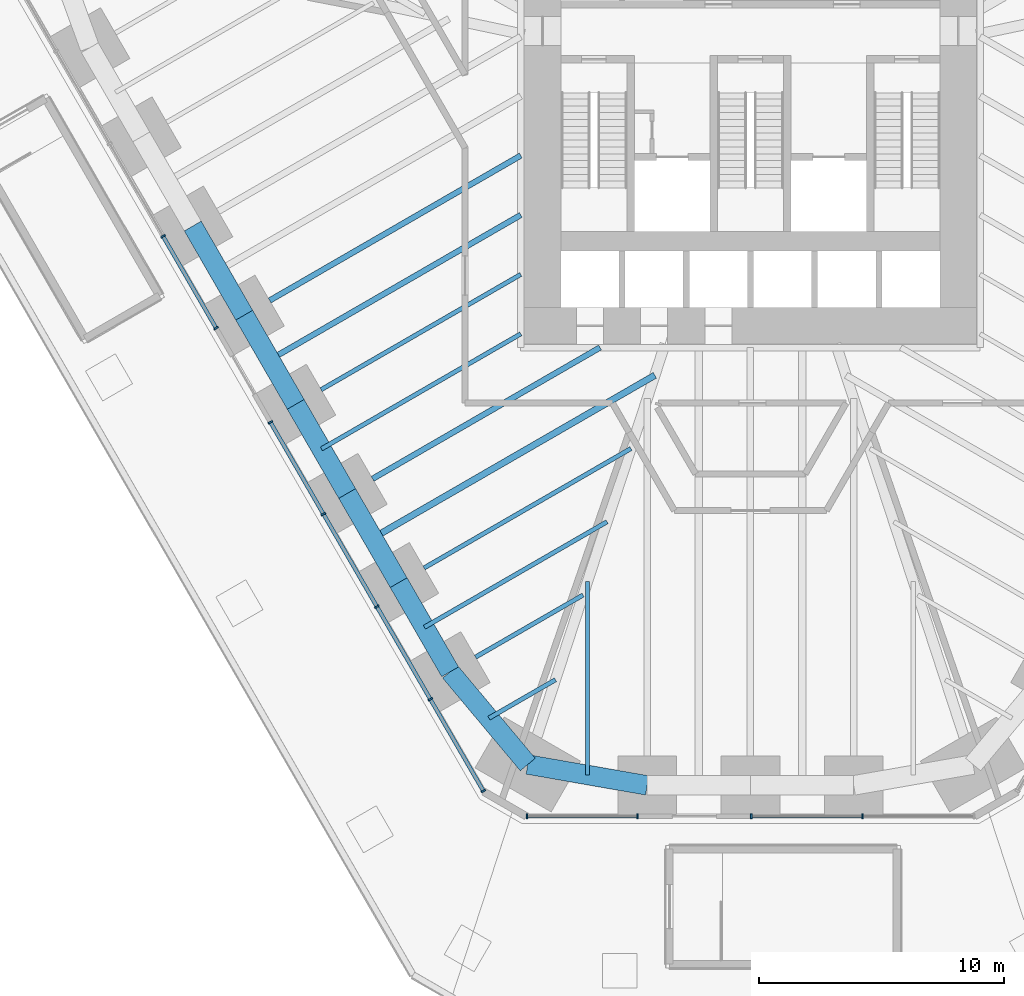
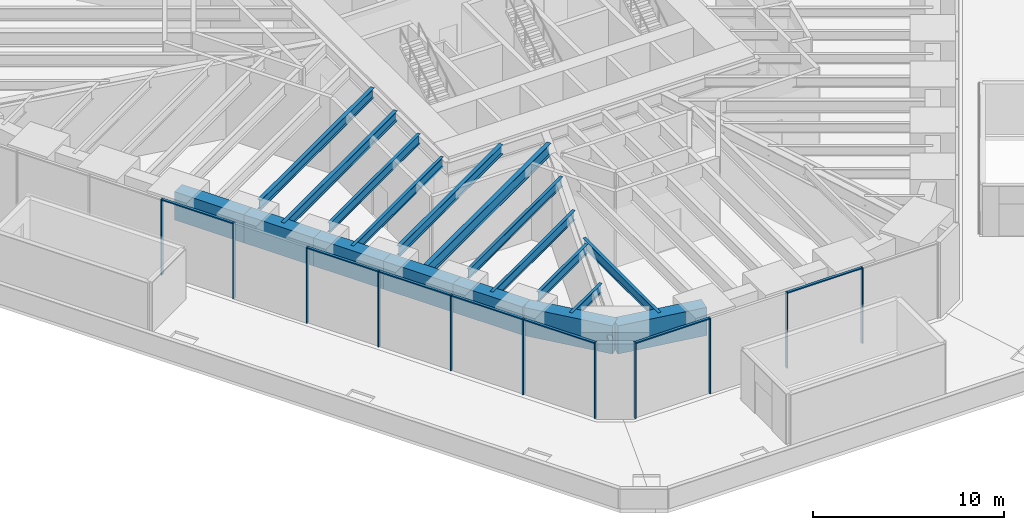
# One storey, part 2 of 20: 18 beams, 18 members, 4 elements without a shape of their own.
"""IFC4 building model written with IfcOpenShell, lengths in metres."""

from ifc_helpers import new_model, si_unit, direction, frame, origin, origin_2d, place, context, subcontext, project, spatial, rectangle, i_section, extrude, material, material_profile, profile_set, type_object, element, aggregate, save


model = new_model("IFC4")

# Units and contexts
model_context = context("Model", 3, precision=1e-05, world=origin(), true_north=direction((0.0, 1.0)))
body_context = subcontext(model_context, "Body", "Model", "MODEL_VIEW")
ifc_project = project(units=[si_unit("LENGTHUNIT", "METRE"), si_unit("AREAUNIT", "SQUARE_METRE"), si_unit("VOLUMEUNIT", "CUBIC_METRE"), si_unit("PLANEANGLEUNIT", "RADIAN"), si_unit("MASSUNIT", "GRAM", prefix="KILO")], contexts=[model_context])

# Site, building, storey
site_placement = place(None, origin())
site = spatial("IfcSite", under=ifc_project, at=site_placement, CompositionType="ELEMENT")
building_placement = place(site_placement, origin())
building = spatial("IfcBuilding", under=site, at=building_placement, Name="Sandreach Pilgrim Tower", CompositionType="ELEMENT")
storey_placement = place(building_placement, frame((0.0, 0.0, 18.0)))
storey = spatial("IfcBuildingStorey", under=building, at=storey_placement, Name="L03", CompositionType="ELEMENT", Elevation=18.0)

# Curtain wall, members
ifc_material_1 = material(Name="Aluminium framed curtain wall", Category="aluminium")
curtain_wall_type = type_object("IfcCurtainWallType", Name="Podium storefront curtain wall", PredefinedType="NOTDEFINED", material=ifc_material_1)
curtain_wall_1_placement = place(storey_placement, origin())
curtain_wall_1 = element("IfcCurtainWall", 1, at=curtain_wall_1_placement, inside=storey, type_object=curtain_wall_type, Name="CW-P L03 SA", PredefinedType="NOTDEFINED")
ifc_material_2 = material(Name="Aluminium extrusion", Category="aluminium")
ifc_material_profile_1 = material_profile(ifc_material_2, rectangle(XDim=0.070068359375, YDim=0.199951171875, at=origin_2d()), Name="CW-PM 70X200")
ifc_profile_set_1 = profile_set([ifc_material_profile_1], Name="Aluminium extrusion")
member_type_1 = type_object("IfcMemberType", Name="CW-P mullion", PredefinedType="MULLION", material=ifc_profile_set_1)
member_1_placement = place(storey_placement, frame((4.5859375, -30.010986328125, 0.0), z_axis=(0.0, 0.0, 1.0), x_axis=(-1.0, 0.0, 0.0)))
member_1 = element("IfcMember", 2, at=member_1_placement, type_object=member_type_1, Name="CW-P mullion 2", PredefinedType="MULLION", context=body_context, shape_type="SweptSolid", body=[
    extrude(rectangle(XDim=0.070068359375, YDim=0.199951171875, at=origin_2d()), origin(), (0.0, 0.0, 1.0), 4.840087890625),
])
member_2_placement = place(storey_placement, frame((0.034912109375, -30.010986328125, 0.0), z_axis=(0.0, 0.0, 1.0), x_axis=(-1.0, 0.0, 0.0)))
member_2 = element("IfcMember", 3, at=member_2_placement, type_object=member_type_1, Name="CW-P mullion 3", PredefinedType="MULLION", context=body_context, shape_type="SweptSolid", body=[
    extrude(rectangle(XDim=0.070068359375, YDim=0.199951171875, at=origin_2d()), origin(), (0.0, 0.0, 1.0), 4.840087890625),
])

curtain_wall_2_placement = place(storey_placement, origin())
curtain_wall_2 = element("IfcCurtainWall", 4, at=curtain_wall_2_placement, inside=storey, type_object=curtain_wall_type, Name="CW-P L03 SB", PredefinedType="NOTDEFINED")
member_3_placement = place(storey_placement, frame((-4.62109375, -30.010986328125, 0.0), z_axis=(0.0, 0.0, 1.0), x_axis=(-1.0, 0.0, 0.0)))
member_3 = element("IfcMember", 5, at=member_3_placement, type_object=member_type_1, Name="CW-P mullion 1", PredefinedType="MULLION", context=body_context, shape_type="SweptSolid", body=[
    extrude(rectangle(XDim=0.070068359375, YDim=0.199951171875, at=origin_2d()), origin(), (0.0, 0.0, 1.0), 4.840087890625),
])
member_4_placement = place(storey_placement, frame((-9.13720703125, -30.010986328125, 0.0), z_axis=(0.0, 0.0, 1.0), x_axis=(-1.0, 0.0, 0.0)))
member_4 = element("IfcMember", 6, at=member_4_placement, type_object=member_type_1, Name="CW-P mullion 2", PredefinedType="MULLION", context=body_context, shape_type="SweptSolid", body=[
    extrude(rectangle(XDim=0.070068359375, YDim=0.199951171875, at=origin_2d()), origin(), (0.0, 0.0, 1.0), 4.840087890625),
])

curtain_wall_3_placement = place(storey_placement, origin())
curtain_wall_3 = element("IfcCurtainWall", 7, at=curtain_wall_3_placement, inside=storey, type_object=curtain_wall_type, Name="CW-P L03 SWA", PredefinedType="NOTDEFINED")
member_5_placement = place(storey_placement, frame((-10.921630859375, -28.98046875, 0.0), z_axis=(0.0, 0.0, 1.0), x_axis=(-0.5, 0.866025403784, 0.0)))
member_5 = element("IfcMember", 8, at=member_5_placement, type_object=member_type_1, Name="CW-P mullion 1", PredefinedType="MULLION", context=body_context, shape_type="SweptSolid", body=[
    extrude(rectangle(XDim=0.070068359375, YDim=0.199951171875, at=origin_2d()), origin(), (0.0, 0.0, 1.0), 4.840087890625),
])
member_6_placement = place(storey_placement, frame((-13.08984375, -25.22509765625, 0.0), z_axis=(0.0, 0.0, 1.0), x_axis=(-0.5, 0.866025403784, 0.0)))
member_6 = element("IfcMember", 9, at=member_6_placement, type_object=member_type_1, Name="CW-P mullion 2", PredefinedType="MULLION", context=body_context, shape_type="SweptSolid", body=[
    extrude(rectangle(XDim=0.070068359375, YDim=0.199951171875, at=origin_2d()), origin(), (0.0, 0.0, 1.0), 4.840087890625),
])
member_7_placement = place(storey_placement, frame((-15.275634765625, -21.439208984375, 0.0), z_axis=(0.0, 0.0, 1.0), x_axis=(-0.5, 0.866025403784, 0.0)))
member_7 = element("IfcMember", 10, at=member_7_placement, type_object=member_type_1, Name="CW-P mullion 3", PredefinedType="MULLION", context=body_context, shape_type="SweptSolid", body=[
    extrude(rectangle(XDim=0.070068359375, YDim=0.199951171875, at=origin_2d()), origin(), (0.0, 0.0, 1.0), 4.840087890625),
])
member_8_placement = place(storey_placement, frame((-17.46142578125, -17.6533203125, 0.0), z_axis=(0.0, 0.0, 1.0), x_axis=(-0.5, 0.866025403784, 0.0)))
member_8 = element("IfcMember", 11, at=member_8_placement, type_object=member_type_1, Name="CW-P mullion 4", PredefinedType="MULLION", context=body_context, shape_type="SweptSolid", body=[
    extrude(rectangle(XDim=0.070068359375, YDim=0.199951171875, at=origin_2d()), origin(), (0.0, 0.0, 1.0), 4.840087890625),
])
member_9_placement = place(storey_placement, frame((-19.6298828125, -13.897705078125, 0.0), z_axis=(0.0, 0.0, 1.0), x_axis=(-0.5, 0.866025403784, 0.0)))
member_9 = element("IfcMember", 12, at=member_9_placement, type_object=member_type_1, Name="CW-P mullion 5", PredefinedType="MULLION", context=body_context, shape_type="SweptSolid", body=[
    extrude(rectangle(XDim=0.070068359375, YDim=0.199951171875, at=origin_2d()), origin(), (0.0, 0.0, 1.0), 4.840087890625),
])

curtain_wall_4_placement = place(storey_placement, origin())
curtain_wall_4 = element("IfcCurtainWall", 13, at=curtain_wall_4_placement, inside=storey, type_object=curtain_wall_type, Name="CW-P L03 SWB", PredefinedType="NOTDEFINED")
member_10_placement = place(storey_placement, frame((-21.8505859375, -10.051025390625, 0.0), z_axis=(0.0, 0.0, 1.0), x_axis=(-0.5, 0.866025403784, 0.0)))
member_10 = element("IfcMember", 14, at=member_10_placement, type_object=member_type_1, Name="CW-P mullion 1", PredefinedType="MULLION", context=body_context, shape_type="SweptSolid", body=[
    extrude(rectangle(XDim=0.070068359375, YDim=0.199951171875, at=origin_2d()), origin(), (0.0, 0.0, 1.0), 4.840087890625),
])
member_11_placement = place(storey_placement, frame((-24.018798828125, -6.29541015625, 0.0), z_axis=(0.0, 0.0, 1.0), x_axis=(-0.5, 0.866025403784, 0.0)))
member_11 = element("IfcMember", 15, at=member_11_placement, type_object=member_type_1, Name="CW-P mullion 2", PredefinedType="MULLION", context=body_context, shape_type="SweptSolid", body=[
    extrude(rectangle(XDim=0.070068359375, YDim=0.199951171875, at=origin_2d()), origin(), (0.0, 0.0, 1.0), 4.840087890625),
])

# Member
ifc_material_3 = material(Name="Aluminium extrusion", Category="aluminium")
ifc_material_profile_2 = material_profile(ifc_material_3, rectangle(XDim=0.159912109375, YDim=0.070068359375, at=origin_2d()), Name="CW-PT 160X70")
ifc_profile_set_2 = profile_set([ifc_material_profile_2], Name="Aluminium extrusion")
member_type_2 = type_object("IfcMemberType", Name="CW-P transom", PredefinedType="USERDEFINED", material=ifc_profile_set_2)
member_12_placement = place(storey_placement, frame((4.551025390625, -30.010986328125, 4.804931640625), z_axis=(-1.0, 0.0, 0.0), x_axis=(0.0, -1.0, 0.0)))
member_12 = element("IfcMember", 16, at=member_12_placement, type_object=member_type_2, Name="CW-P head transom 2", ObjectType="TRANSOM", PredefinedType="USERDEFINED", context=body_context, shape_type="SweptSolid", body=[
    extrude(rectangle(XDim=0.159912109375, YDim=0.070068359375, at=origin_2d()), origin(), (0.0, 0.0, 1.0), 4.48095703125),
])

aggregate(curtain_wall_1, [member_1, member_2, member_12])

member_13_placement = place(storey_placement, frame((-4.656005859375, -30.010986328125, 4.804931640625), z_axis=(-1.0, 0.0, 0.0), x_axis=(0.0, -1.0, 0.0)))
member_13 = element("IfcMember", 17, at=member_13_placement, type_object=member_type_2, Name="CW-P head transom 1", ObjectType="TRANSOM", PredefinedType="USERDEFINED", context=body_context, shape_type="SweptSolid", body=[
    extrude(rectangle(XDim=0.159912109375, YDim=0.070068359375, at=origin_2d()), origin(), (0.0, 0.0, 1.0), 4.446044921875),
])

aggregate(curtain_wall_2, [member_3, member_4, member_13])

member_14_placement = place(storey_placement, frame((-10.939208984375, -28.9501953125, 4.804931640625), z_axis=(-0.500016352561, 0.866015962423, 0.0), x_axis=(-0.866015962423, -0.500016352561, 0.0)))
member_14 = element("IfcMember", 18, at=member_14_placement, type_object=member_type_2, Name="CW-P head transom 1", ObjectType="TRANSOM", PredefinedType="USERDEFINED", context=body_context, shape_type="SweptSolid", body=[
    extrude(rectangle(XDim=0.159912109375, YDim=0.070068359375, at=origin_2d()), origin(), (0.0, 0.0, 1.0), 4.266357421875),
])

member_15_placement = place(storey_placement, frame((-13.107421875, -25.194580078125, 4.804931640625), z_axis=(-0.500033611107, 0.866005997533, 0.0), x_axis=(-0.866005997533, -0.500033611107, 0.0)))
member_15 = element("IfcMember", 19, at=member_15_placement, type_object=member_type_2, Name="CW-P head transom 2", ObjectType="TRANSOM", PredefinedType="USERDEFINED", context=body_context, shape_type="SweptSolid", body=[
    extrude(rectangle(XDim=0.159912109375, YDim=0.070068359375, at=origin_2d()), origin(), (0.0, 0.0, 1.0), 4.301513671875),
])

member_16_placement = place(storey_placement, frame((-15.293212890625, -21.40869140625, 4.804931640625), z_axis=(-0.500033611107, 0.866005997533, 0.0), x_axis=(-0.866005997533, -0.500033611107, 0.0)))
member_16 = element("IfcMember", 20, at=member_16_placement, type_object=member_type_2, Name="CW-P head transom 3", ObjectType="TRANSOM", PredefinedType="USERDEFINED", context=body_context, shape_type="SweptSolid", body=[
    extrude(rectangle(XDim=0.159912109375, YDim=0.070068359375, at=origin_2d()), origin(), (0.0, 0.0, 1.0), 4.301513671875),
])

member_17_placement = place(storey_placement, frame((-17.47900390625, -17.622802734375, 4.804931640625), z_axis=(-0.500016352561, 0.866015962423, 0.0), x_axis=(-0.866015962423, -0.500016352561, 0.0)))
member_17 = element("IfcMember", 21, at=member_17_placement, type_object=member_type_2, Name="CW-P head transom 4", ObjectType="TRANSOM", PredefinedType="USERDEFINED", context=body_context, shape_type="SweptSolid", body=[
    extrude(rectangle(XDim=0.159912109375, YDim=0.070068359375, at=origin_2d()), origin(), (0.0, 0.0, 1.0), 4.266357421875),
])

aggregate(curtain_wall_3, [member_5, member_6, member_7, member_8, member_9, member_14, member_15, member_16, member_17])

member_18_placement = place(storey_placement, frame((-21.8681640625, -10.020751953125, 4.804931640625), z_axis=(-0.500016352561, 0.866015962423, 0.0), x_axis=(-0.866015962423, -0.500016352561, 0.0)))
member_18 = element("IfcMember", 22, at=member_18_placement, type_object=member_type_2, Name="CW-P head transom 1", ObjectType="TRANSOM", PredefinedType="USERDEFINED", context=body_context, shape_type="SweptSolid", body=[
    extrude(rectangle(XDim=0.159912109375, YDim=0.070068359375, at=origin_2d()), origin(), (0.0, 0.0, 1.0), 4.266357421875),
])

aggregate(curtain_wall_4, [member_10, member_11, member_18])

# Beams
ifc_material_4 = material(Name="Steel ASTM A992 Grade 50", Category="steel")
ifc_material_profile_3 = material_profile(ifc_material_4, i_section(OverallWidth=0.1787109375, OverallDepth=0.60205078125, WebThickness=0.010986328125, FlangeThickness=0.014892578125, at=origin_2d()), Name="W24X62")
ifc_profile_set_3 = profile_set([ifc_material_profile_3], Name="Steel ASTM A992 Grade 50")
beam_type_1 = type_object("IfcBeamType", Name="Floor beam W24X62", PredefinedType="BEAM", material=ifc_profile_set_3)
beam_1_placement = place(storey_placement, frame((-11.242431640625, -23.5048828125, 4.5390625), z_axis=(0.866027897259, 0.49999568115, 0.0), x_axis=(-0.49999568115, 0.866027897259, 0.0)))
element("IfcBeam", 23, at=beam_1_placement, inside=storey, type_object=beam_type_1, Name="BM L03 F27", PredefinedType="BEAM", context=body_context, shape_type="SweptSolid", body=[
    extrude(i_section(OverallWidth=0.1787109375, OverallDepth=0.60205078125, WebThickness=0.010986328125, FlangeThickness=0.014892578125, at=origin_2d()), origin(), (0.0, 0.0, 1.0), 5.0791015625),
])
beam_2_placement = place(storey_placement, frame((-13.347412109375, -19.859130859375, 4.5390625), z_axis=(0.866025751498, 0.499999397742, 0.0), x_axis=(-0.499999397742, 0.866025751498, 0.0)))
element("IfcBeam", 24, at=beam_2_placement, inside=storey, type_object=beam_type_1, Name="BM L03 F28", PredefinedType="BEAM", context=body_context, shape_type="SweptSolid", body=[
    extrude(i_section(OverallWidth=0.1787109375, OverallDepth=0.60205078125, WebThickness=0.010986328125, FlangeThickness=0.014892578125, at=origin_2d()), origin(), (0.0, 0.0, 1.0), 9.767578125),
])
beam_3_placement = place(storey_placement, frame((-17.557373046875, -12.5673828125, 4.5390625), z_axis=(0.866020839647, 0.500007905235, 0.0), x_axis=(-0.500007905235, 0.866020839647, 0.0)))
element("IfcBeam", 25, at=beam_3_placement, inside=storey, type_object=beam_type_1, Name="BM L03 F30", PredefinedType="BEAM", context=body_context, shape_type="SweptSolid", body=[
    extrude(i_section(OverallWidth=0.1787109375, OverallDepth=0.60205078125, WebThickness=0.010986328125, FlangeThickness=0.014892578125, at=origin_2d()), origin(), (0.0, 0.0, 1.0), 9.427001953125),
])
beam_4_placement = place(storey_placement, frame((-6.664306640625, -28.323974609375, 4.5390625), z_axis=(0.0, 1.0, 0.0), x_axis=(-1.0, 0.0, 0.0)))
element("IfcBeam", 26, at=beam_4_placement, inside=storey, type_object=beam_type_1, Name="BM L03 FM25", PredefinedType="BEAM", context=body_context, shape_type="SweptSolid", body=[
    extrude(i_section(OverallWidth=0.1787109375, OverallDepth=0.60205078125, WebThickness=0.010986328125, FlangeThickness=0.014892578125, at=origin_2d()), origin(), (0.0, 0.0, 1.0), 7.907958984375),
])
beam_5_placement = place(storey_placement, frame((-10.694091796875, -26.0009765625, 4.5390625), z_axis=(0.866023718453, 0.500002919068, 0.0), x_axis=(-0.500002919068, 0.866023718453, 0.0)))
element("IfcBeam", 27, at=beam_5_placement, inside=storey, type_object=beam_type_1, Name="BM L03 FM26", PredefinedType="BEAM", context=body_context, shape_type="SweptSolid", body=[
    extrude(i_section(OverallWidth=0.1787109375, OverallDepth=0.60205078125, WebThickness=0.010986328125, FlangeThickness=0.014892578125, at=origin_2d()), origin(), (0.0, 0.0, 1.0), 3.1396484375),
])
beam_6_placement = place(storey_placement, frame((-13.334228515625, -22.281982421875, 4.5390625), z_axis=(0.86602717807, 0.499996926835, 0.0), x_axis=(-0.499996926835, 0.86602717807, 0.0)))
element("IfcBeam", 28, at=beam_6_placement, inside=storey, type_object=beam_type_1, Name="BM L03 FM27", PredefinedType="BEAM", context=body_context, shape_type="SweptSolid", body=[
    extrude(i_section(OverallWidth=0.1787109375, OverallDepth=0.60205078125, WebThickness=0.010986328125, FlangeThickness=0.014892578125, at=origin_2d()), origin(), (0.0, 0.0, 1.0), 8.62353515625),
])
beam_7_placement = place(storey_placement, frame((-17.5439453125, -14.990234375, 4.5390625), z_axis=(0.86602359238, 0.500003137431, 0.0), x_axis=(-0.500003137431, 0.86602359238, 0.0)))
element("IfcBeam", 29, at=beam_7_placement, inside=storey, type_object=beam_type_1, Name="BM L03 FM29", PredefinedType="BEAM", context=body_context, shape_type="SweptSolid", body=[
    extrude(i_section(OverallWidth=0.1787109375, OverallDepth=0.60205078125, WebThickness=0.010986328125, FlangeThickness=0.014892578125, at=origin_2d()), origin(), (0.0, 0.0, 1.0), 9.41162109375),
])
ifc_material_5 = material(Name="Steel ASTM A992 Grade 50", Category="steel")
ifc_material_profile_4 = material_profile(ifc_material_5, i_section(OverallWidth=0.23046875, OverallDepth=0.6171875, WebThickness=0.01318359375, FlangeThickness=0.022216796875, at=origin_2d()), Name="W24X94")
ifc_profile_set_4 = profile_set([ifc_material_profile_4], Name="Steel ASTM A992 Grade 50")
beam_type_2 = type_object("IfcBeamType", Name="Floor beam W24X94", PredefinedType="BEAM", material=ifc_profile_set_4)
beam_8_placement = place(storey_placement, frame((-15.452392578125, -16.213134765625, 4.531494140625), z_axis=(0.866028486751, 0.499994660107, 0.0), x_axis=(-0.499994660107, 0.866028486751, 0.0)))
element("IfcBeam", 30, at=beam_8_placement, inside=storey, type_object=beam_type_2, Name="BM L03 F29", PredefinedType="BEAM", context=body_context, shape_type="SweptSolid", body=[
    extrude(i_section(OverallWidth=0.23046875, OverallDepth=0.6171875, WebThickness=0.01318359375, FlangeThickness=0.022216796875, at=origin_2d()), origin(), (0.0, 0.0, 1.0), 10.73974609375),
])
beam_9_placement = place(storey_placement, frame((-19.662353515625, -8.92138671875, 4.531494140625), z_axis=(0.866029924088, 0.499992170523, 0.0), x_axis=(-0.499992170523, 0.866029924088, 0.0)))
element("IfcBeam", 31, at=beam_9_placement, inside=storey, type_object=beam_type_2, Name="BM L03 F31", PredefinedType="BEAM", context=body_context, shape_type="SweptSolid", body=[
    extrude(i_section(OverallWidth=0.23046875, OverallDepth=0.6171875, WebThickness=0.01318359375, FlangeThickness=0.022216796875, at=origin_2d()), origin(), (0.0, 0.0, 1.0), 11.857666015625),
])
beam_10_placement = place(storey_placement, frame((-19.64892578125, -11.34423828125, 4.531494140625), z_axis=(0.866032123691, 0.4999883606, 0.0), x_axis=(-0.4999883606, 0.866032123691, 0.0)))
element("IfcBeam", 32, at=beam_10_placement, inside=storey, type_object=beam_type_2, Name="BM L03 FM30", PredefinedType="BEAM", context=body_context, shape_type="SweptSolid", body=[
    extrude(i_section(OverallWidth=0.23046875, OverallDepth=0.6171875, WebThickness=0.01318359375, FlangeThickness=0.022216796875, at=origin_2d()), origin(), (0.0, 0.0, 1.0), 11.842041015625),
])
ifc_material_6 = material(Name="Steel ASTM A992 Grade 50", Category="steel")
ifc_material_profile_5 = material_profile(ifc_material_6, i_section(OverallWidth=0.2666015625, OverallDepth=0.761962890625, WebThickness=0.014404296875, FlangeThickness=0.021484375, at=origin_2d()), Name="W30X116")
ifc_profile_set_5 = profile_set([ifc_material_profile_5], Name="Steel ASTM A992 Grade 50")
beam_type_3 = type_object("IfcBeamType", Name="Floor beam W30X116", PredefinedType="BEAM", material=ifc_profile_set_5)
beam_11_placement = place(storey_placement, frame((-15.43896484375, -18.63623046875, 4.458984375), z_axis=(0.866021271874, 0.50000715661, 0.0), x_axis=(-0.50000715661, 0.866021271874, 0.0)))
element("IfcBeam", 33, at=beam_11_placement, inside=storey, type_object=beam_type_3, Name="BM L03 FM28", PredefinedType="BEAM", context=body_context, shape_type="SweptSolid", body=[
    extrude(i_section(OverallWidth=0.2666015625, OverallDepth=0.761962890625, WebThickness=0.014404296875, FlangeThickness=0.021484375, at=origin_2d()), origin(), (0.0, 0.0, 1.0), 13.311767578125),
])
ifc_material_7 = material(Name="Concrete 10000 psi", Category="concrete")
ifc_material_profile_6 = material_profile(ifc_material_7, rectangle(XDim=0.800048828125, YDim=1.800048828125, at=origin_2d()), Name="RC800X1800")
ifc_profile_set_6 = profile_set([ifc_material_profile_6], Name="Concrete 10000 psi")
beam_type_4 = type_object("IfcBeamType", Name="Spandrel beam RC800X1800", PredefinedType="SPANDREL", material=ifc_profile_set_6)
beam_12_placement = place(storey_placement, frame((-4.222412109375, -28.7509765625, 3.93994140625), z_axis=(-0.985054495501, 0.17224297052, 0.0), x_axis=(-0.17224297052, -0.985054495501, 0.0)))
element("IfcBeam", 34, at=beam_12_placement, inside=storey, type_object=beam_type_4, Name="BM L03 SP25", PredefinedType="SPANDREL", context=body_context, shape_type="SweptSolid", body=[
    extrude(rectangle(XDim=0.800048828125, YDim=1.800048828125, at=origin_2d()), origin(), (0.0, 0.0, 1.0), 4.958251953125),
])
beam_13_placement = place(storey_placement, frame((-9.1064453125, -27.89697265625, 3.93994140625), z_axis=(-0.642008193922, 0.766697775488, 0.0), x_axis=(-0.766697775488, -0.642008193922, 0.0)))
element("IfcBeam", 35, at=beam_13_placement, inside=storey, type_object=beam_type_4, Name="BM L03 SP26", PredefinedType="SPANDREL", context=body_context, shape_type="SweptSolid", body=[
    extrude(rectangle(XDim=0.800048828125, YDim=1.800048828125, at=origin_2d()), origin(), (0.0, 0.0, 1.0), 4.94580078125),
])
beam_14_placement = place(storey_placement, frame((-12.28173828125, -24.10498046875, 3.93994140625), z_axis=(-0.499993523031, 0.866029143232, 0.0), x_axis=(-0.866029143232, -0.499993523031, 0.0)))
element("IfcBeam", 36, at=beam_14_placement, inside=storey, type_object=beam_type_4, Name="BM L03 SP27", PredefinedType="SPANDREL", context=body_context, shape_type="SweptSolid", body=[
    extrude(rectangle(XDim=0.800048828125, YDim=1.800048828125, at=origin_2d()), origin(), (0.0, 0.0, 1.0), 4.2099609375),
])
beam_15_placement = place(storey_placement, frame((-14.38671875, -20.458984375, 3.93994140625), z_axis=(-0.499975138639, 0.866039757022, 0.0), x_axis=(-0.866039757022, -0.499975138639, 0.0)))
element("IfcBeam", 37, at=beam_15_placement, inside=storey, type_object=beam_type_4, Name="BM L03 SP28", PredefinedType="SPANDREL", context=body_context, shape_type="SweptSolid", body=[
    extrude(rectangle(XDim=0.800048828125, YDim=1.800048828125, at=origin_2d()), origin(), (0.0, 0.0, 1.0), 4.209716796875),
])
beam_16_placement = place(storey_placement, frame((-16.491455078125, -16.813232421875, 3.93994140625), z_axis=(-0.499993523031, 0.866029143232, 0.0), x_axis=(-0.866029143232, -0.499993523031, 0.0)))
element("IfcBeam", 38, at=beam_16_placement, inside=storey, type_object=beam_type_4, Name="BM L03 SP29", PredefinedType="SPANDREL", context=body_context, shape_type="SweptSolid", body=[
    extrude(rectangle(XDim=0.800048828125, YDim=1.800048828125, at=origin_2d()), origin(), (0.0, 0.0, 1.0), 4.2099609375),
])
beam_17_placement = place(storey_placement, frame((-18.596435546875, -13.167236328125, 3.93994140625), z_axis=(-0.50001863446, 0.866014644907, 0.0), x_axis=(-0.866014644907, -0.50001863446, 0.0)))
element("IfcBeam", 39, at=beam_17_placement, inside=storey, type_object=beam_type_4, Name="BM L03 SP30", PredefinedType="SPANDREL", context=body_context, shape_type="SweptSolid", body=[
    extrude(rectangle(XDim=0.800048828125, YDim=1.800048828125, at=origin_2d()), origin(), (0.0, 0.0, 1.0), 4.209716796875),
])
beam_18_placement = place(storey_placement, frame((-20.701416015625, -9.521484375, 3.93994140625), z_axis=(-0.499993523031, 0.866029143232, 0.0), x_axis=(-0.866029143232, -0.499993523031, 0.0)))
element("IfcBeam", 40, at=beam_18_placement, inside=storey, type_object=beam_type_4, Name="BM L03 SP31", PredefinedType="SPANDREL", context=body_context, shape_type="SweptSolid", body=[
    extrude(rectangle(XDim=0.800048828125, YDim=1.800048828125, at=origin_2d()), origin(), (0.0, 0.0, 1.0), 4.2099609375),
])

save(model, "model.ifc")
